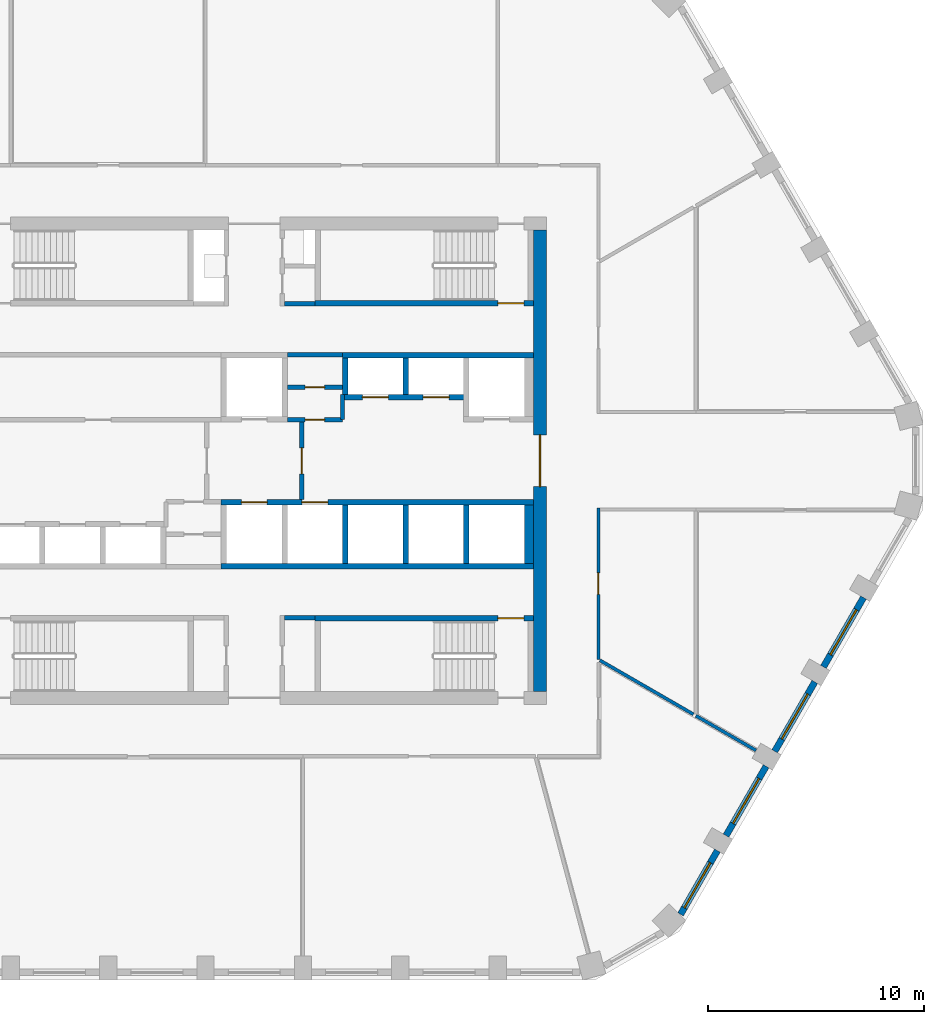
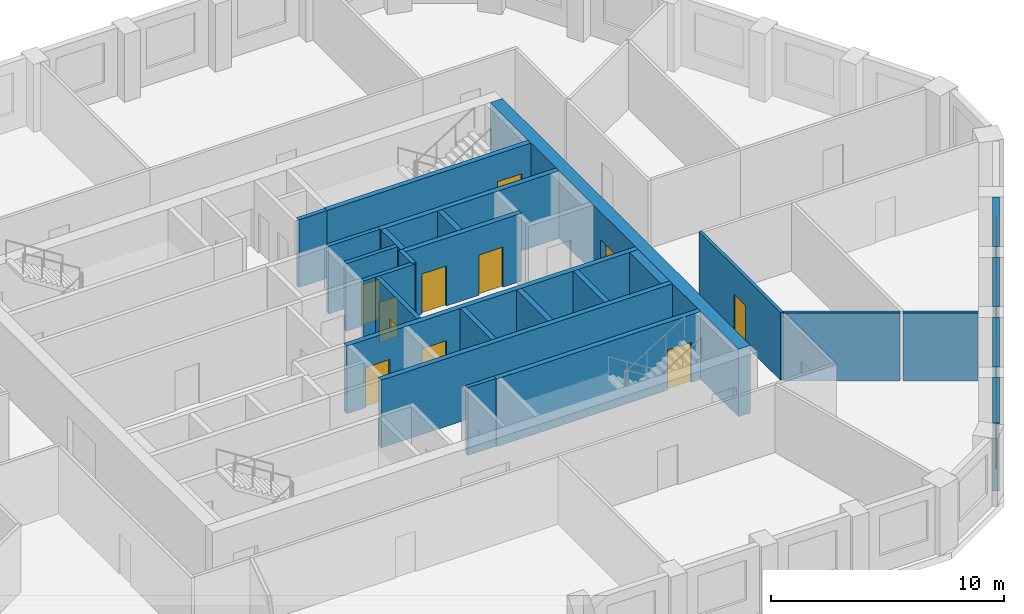
# One storey, part 4 of 11: 27 walls, 11 doors, 4 windows, 15 openings.
"""IFC4 building model written with IfcOpenShell, lengths in metres."""

from ifc_helpers import new_model, si_unit, direction, frame, frame_2d, origin, place, context, subcontext, project, spatial, polyline, rectangle, outline, extrude, material, layer, layer_set, type_object, element, fill, save


model = new_model("IFC4")

# Units and contexts
model_context = context("Model", 3, precision=1e-05, world=origin(), true_north=direction((0.0, 1.0)))
body_context = subcontext(model_context, "Body", "Model", "MODEL_VIEW")
ifc_project = project(units=[si_unit("LENGTHUNIT", "METRE"), si_unit("AREAUNIT", "SQUARE_METRE"), si_unit("VOLUMEUNIT", "CUBIC_METRE"), si_unit("PLANEANGLEUNIT", "RADIAN"), si_unit("MASSUNIT", "GRAM", prefix="KILO")], contexts=[model_context])

# Site, building, storey
site_placement = place(None, origin())
site = spatial("IfcSite", under=ifc_project, at=site_placement, CompositionType="ELEMENT")
building_placement = place(site_placement, origin())
building = spatial("IfcBuilding", under=site, at=building_placement, Name="Dhurran Vertical Campus", CompositionType="ELEMENT")
storey_placement = place(building_placement, frame((0.0, 0.0, 211.199951171875)))
storey = spatial("IfcBuildingStorey", under=building, at=storey_placement, Name="L52", CompositionType="ELEMENT", Elevation=211.199951171875)

# Wall, opening, window
ifc_material_1 = material(Name="Precast concrete C50/60", Category="concrete")
ifc_layer_1 = layer(ifc_material_1, 0.300048828125)
ifc_layer_set_1 = layer_set([ifc_layer_1], Name="Precast concrete C50/60")
wall_type_1 = type_object("IfcWallType", Name="Precast spandrel wall 300", PredefinedType="SOLIDWALL", material=ifc_layer_set_1)
wall_1_placement = place(storey_placement, frame((19.69580078125, -20.951171875, 0.0), z_axis=(0.0, 0.0, 1.0), x_axis=(0.500012868213, 0.866017974191, 0.0)))
wall_1 = element("IfcWall", 1, at=wall_1_placement, inside=storey, type_object=wall_type_1, Name="EW1 L52.08", PredefinedType="SOLIDWALL", context=body_context, shape_type="SweptSolid", body=[
    extrude(rectangle(XDim=3.39599609375, YDim=0.300048828125, at=frame_2d((1.697998046875, 0.0))), origin(), (0.0, 0.0, 1.0), 3.550048828125),
])
opening_1_placement = place(wall_1_placement, frame((0.346435546875, 0.0, 0.89990234375)))
opening_1 = element("IfcOpeningElement", 2, at=opening_1_placement, cuts=wall_1, Name="Opening WT1", PredefinedType="OPENING", context=body_context, shape_type="SweptSolid", body=[
    extrude(rectangle(XDim=2.39990234375, YDim=2.10009765625, at=frame_2d((1.199951171875, 1.050048828125))), frame((0.0, 0.159912109375, 0.0), z_axis=(0.0, -1.0, 0.0), x_axis=(1.0, 0.0, 0.0)), (0.0, 0.0, 1.0), 0.320068359375),
])
ifc_material_2 = material(Name="Aluminium frame with solar-control glass", Category="aluminium")
window_type = type_object("IfcWindowType", Name="Punched window 2400 x 2100", PartitioningType="SINGLE_PANEL", PredefinedType="WINDOW", material=ifc_material_2)
window_1_placement = place(opening_1_placement, origin())
window_1 = element("IfcWindow", 3, at=window_1_placement, inside=storey, type_object=window_type, Name="WT1 L52.08", OverallHeight=2.10009765625, OverallWidth=2.39990234375, PartitioningType="SINGLE_PANEL", PredefinedType="WINDOW", context=body_context, shape_type="SweptSolid", body=[
    extrude(rectangle(XDim=2.39990234375, YDim=2.10009765625, at=frame_2d((1.199951171875, 1.050048828125))), frame((0.0, 0.030029296875, 0.0), z_axis=(0.0, -1.0, 0.0), x_axis=(1.0, 0.0, 0.0)), (0.0, 0.0, 1.0), 0.06005859375),
])
fill(opening_1, window_1)

wall_2_placement = place(storey_placement, frame((21.794189453125, -17.316650390625, 0.0), z_axis=(0.0, 0.0, 1.0), x_axis=(0.500029062817, 0.866008623709, 0.0)))
wall_2 = element("IfcWall", 4, at=wall_2_placement, inside=storey, type_object=wall_type_1, Name="EW1 L52.09", PredefinedType="SOLIDWALL", context=body_context, shape_type="SweptSolid", body=[
    extrude(rectangle(XDim=3.698974609375, YDim=0.300048828125, at=frame_2d((1.849609375, 0.0))), origin(), (0.0, 0.0, 1.0), 3.550048828125),
])
opening_2_placement = place(wall_2_placement, frame((0.6494140625, 0.0, 0.89990234375)))
opening_2 = element("IfcOpeningElement", 5, at=opening_2_placement, cuts=wall_2, Name="Opening WT1", PredefinedType="OPENING", context=body_context, shape_type="SweptSolid", body=[
    extrude(rectangle(XDim=2.39990234375, YDim=2.10009765625, at=frame_2d((1.199951171875, 1.050048828125))), frame((0.0, 0.159912109375, 0.0), z_axis=(0.0, -1.0, 0.0), x_axis=(1.0, 0.0, 0.0)), (0.0, 0.0, 1.0), 0.320068359375),
])
window_2_placement = place(opening_2_placement, origin())
window_2 = element("IfcWindow", 6, at=window_2_placement, inside=storey, type_object=window_type, Name="WT1 L52.09", OverallHeight=2.10009765625, OverallWidth=2.39990234375, PartitioningType="SINGLE_PANEL", PredefinedType="WINDOW", context=body_context, shape_type="SweptSolid", body=[
    extrude(rectangle(XDim=2.39990234375, YDim=2.10009765625, at=frame_2d((1.199951171875, 1.050048828125))), frame((0.0, 0.030029296875, 0.0), z_axis=(0.0, -1.0, 0.0), x_axis=(1.0, 0.0, 0.0)), (0.0, 0.0, 1.0), 0.06005859375),
])
fill(opening_2, window_2)

wall_3_placement = place(storey_placement, frame((24.044189453125, -13.41943359375, 0.0), z_axis=(0.0, 0.0, 1.0), x_axis=(0.500029062817, 0.866008623709, 0.0)))
wall_3 = element("IfcWall", 7, at=wall_3_placement, inside=storey, type_object=wall_type_1, Name="EW1 L52.10", PredefinedType="SOLIDWALL", context=body_context, shape_type="SweptSolid", body=[
    extrude(rectangle(XDim=3.698974609375, YDim=0.300048828125, at=frame_2d((1.849609375, 0.0))), origin(), (0.0, 0.0, 1.0), 3.550048828125),
])
opening_3_placement = place(wall_3_placement, frame((0.6494140625, 0.0, 0.89990234375)))
opening_3 = element("IfcOpeningElement", 8, at=opening_3_placement, cuts=wall_3, Name="Opening WT1", PredefinedType="OPENING", context=body_context, shape_type="SweptSolid", body=[
    extrude(rectangle(XDim=2.39990234375, YDim=2.10009765625, at=frame_2d((1.199951171875, 1.050048828125))), frame((0.0, 0.159912109375, 0.0), z_axis=(0.0, -1.0, 0.0), x_axis=(1.0, 0.0, 0.0)), (0.0, 0.0, 1.0), 0.320068359375),
])
window_3_placement = place(opening_3_placement, origin())
window_3 = element("IfcWindow", 9, at=window_3_placement, inside=storey, type_object=window_type, Name="WT1 L52.10", OverallHeight=2.10009765625, OverallWidth=2.39990234375, PartitioningType="SINGLE_PANEL", PredefinedType="WINDOW", context=body_context, shape_type="SweptSolid", body=[
    extrude(rectangle(XDim=2.39990234375, YDim=2.10009765625, at=frame_2d((1.199951171875, 1.050048828125))), frame((0.0, 0.030029296875, 0.0), z_axis=(0.0, -1.0, 0.0), x_axis=(1.0, 0.0, 0.0)), (0.0, 0.0, 1.0), 0.06005859375),
])
fill(opening_3, window_3)

wall_4_placement = place(storey_placement, frame((26.294189453125, -9.5224609375, 0.0), z_axis=(0.0, 0.0, 1.0), x_axis=(0.500029062817, 0.866008623709, 0.0)))
wall_4 = element("IfcWall", 10, at=wall_4_placement, inside=storey, type_object=wall_type_1, Name="EW1 L52.11", PredefinedType="SOLIDWALL", context=body_context, shape_type="SweptSolid", body=[
    extrude(rectangle(XDim=3.698974609375, YDim=0.300048828125, at=frame_2d((1.849609375, 0.0))), origin(), (0.0, 0.0, 1.0), 3.550048828125),
])
opening_4_placement = place(wall_4_placement, frame((0.6494140625, 0.0, 0.89990234375)))
opening_4 = element("IfcOpeningElement", 11, at=opening_4_placement, cuts=wall_4, Name="Opening WT1", PredefinedType="OPENING", context=body_context, shape_type="SweptSolid", body=[
    extrude(rectangle(XDim=2.39990234375, YDim=2.10009765625, at=frame_2d((1.199951171875, 1.050048828125))), frame((0.0, 0.159912109375, 0.0), z_axis=(0.0, -1.0, 0.0), x_axis=(1.0, 0.0, 0.0)), (0.0, 0.0, 1.0), 0.320068359375),
])
window_4_placement = place(opening_4_placement, origin())
window_4 = element("IfcWindow", 12, at=window_4_placement, inside=storey, type_object=window_type, Name="WT1 L52.11", OverallHeight=2.10009765625, OverallWidth=2.39990234375, PartitioningType="SINGLE_PANEL", PredefinedType="WINDOW", context=body_context, shape_type="SweptSolid", body=[
    extrude(rectangle(XDim=2.39990234375, YDim=2.10009765625, at=frame_2d((1.199951171875, 1.050048828125))), frame((0.0, 0.030029296875, 0.0), z_axis=(0.0, -1.0, 0.0), x_axis=(1.0, 0.0, 0.0)), (0.0, 0.0, 1.0), 0.06005859375),
])
fill(opening_4, window_4)

# Wall, opening, door
ifc_material_3 = material(Name="Concrete C50/60", Category="concrete")
ifc_layer_2 = layer(ifc_material_3, 0.60009765625)
ifc_layer_set_2 = layer_set([ifc_layer_2], Name="Concrete C50/60")
wall_type_2 = type_object("IfcWallType", Name="co-CORE-WALL-C2-600", PredefinedType="SHEAR", material=ifc_layer_set_2)
wall_5_placement = place(storey_placement, frame((13.199951171875, -10.64990234375, 0.0), z_axis=(0.0, 0.0, 1.0), x_axis=(0.0, 1.0, 0.0)))
wall_5 = element("IfcWall", 13, at=wall_5_placement, inside=storey, type_object=wall_type_2, Name="Core wall E L52", PredefinedType="SHEAR", context=body_context, shape_type="SweptSolid", body=[
    extrude(rectangle(XDim=21.2998046875, YDim=0.60009765625, at=frame_2d((10.64990234375, 0.0))), origin(), (0.0, 0.0, 1.0), 3.550048828125),
])
opening_5_placement = place(wall_5_placement, frame((9.449951171875, 0.0, 0.0)))
opening_5 = element("IfcOpeningElement", 14, at=opening_5_placement, cuts=wall_5, Name="Opening CL2", PredefinedType="OPENING", context=body_context, shape_type="SweptSolid", body=[
    extrude(rectangle(XDim=2.39990234375, YDim=2.10009765625, at=frame_2d((1.199951171875, 1.050048828125))), frame((0.0, 0.31005859375, 0.0), z_axis=(0.0, -1.0, 0.0), x_axis=(1.0, 0.0, 0.0)), (0.0, 0.0, 1.0), 0.6201171875),
])
ifc_material_4 = material(Name="Fire-rated glazed door set")
door_type_1 = type_object("IfcDoorType", Name="co-D-LOBBY 2400x2100", OperationType="DOUBLE_DOOR_DOUBLE_SWING", PredefinedType="DOOR", material=ifc_material_4)
door_1_placement = place(opening_5_placement, origin())
door_1 = element("IfcDoor", 15, at=door_1_placement, inside=storey, type_object=door_type_1, Name="Lift lobby door E L52", OperationType="DOUBLE_DOOR_DOUBLE_SWING", OverallHeight=2.10009765625, OverallWidth=2.39990234375, PredefinedType="DOOR", context=body_context, shape_type="SweptSolid", body=[
    extrude(rectangle(XDim=2.39990234375, YDim=2.10009765625, at=frame_2d((1.199951171875, 1.050048828125))), frame((0.0, 0.02490234375, 0.0), z_axis=(0.0, -1.0, 0.0), x_axis=(1.0, 0.0, 0.0)), (0.0, 0.0, 1.0), 0.050048828125),
])
fill(opening_5, door_1)

ifc_material_5 = material(Name="Fire-rated masonry blockwork", Category="masonry")
ifc_layer_3 = layer(ifc_material_5, 0.199951171875)
ifc_layer_set_3 = layer_set([ifc_layer_3], Name="Fire-rated masonry blockwork")
wall_type_3 = type_object("IfcWallType", Name="co-FIRE-PARTITION-200", PredefinedType="PARTITIONING", material=ifc_layer_set_3)
wall_6_placement = place(storey_placement, frame((2.199951171875, -1.800048828125, 0.0), z_axis=(0.0, 0.0, 1.0), x_axis=(0.0, 1.0, 0.0)))
wall_6 = element("IfcWall", 16, at=wall_6_placement, inside=storey, type_object=wall_type_3, Name="Firefighting lobby wall E L52", PredefinedType="PARTITIONING", context=body_context, shape_type="SweptSolid", body=[
    extrude(rectangle(XDim=3.60009765625, YDim=0.199951171875, at=frame_2d((1.800048828125, 0.0))), origin(), (0.0, 0.0, 1.0), 3.550048828125),
])
opening_6_placement = place(wall_6_placement, frame((1.199951171875, 0.0, 0.0)))
opening_6 = element("IfcOpeningElement", 17, at=opening_6_placement, cuts=wall_6, Name="Opening FL2", PredefinedType="OPENING", context=body_context, shape_type="SweptSolid", body=[
    extrude(rectangle(XDim=1.199951171875, YDim=2.10009765625, at=frame_2d((0.60009765625, 1.050048828125))), frame((0.0, 0.10986328125, 0.0), z_axis=(0.0, -1.0, 0.0), x_axis=(1.0, 0.0, 0.0)), (0.0, 0.0, 1.0), 0.219970703125),
])
ifc_material_6 = material(Name="Fire-rated steel door set", Category="steel")
door_type_2 = type_object("IfcDoorType", Name="co-D-FFLOBBY 1200x2100", OperationType="SINGLE_SWING_LEFT", PredefinedType="DOOR", material=ifc_material_6)
door_2_placement = place(opening_6_placement, origin())
door_2 = element("IfcDoor", 18, at=door_2_placement, inside=storey, type_object=door_type_2, Name="Firefighting lobby door E L52", OperationType="SINGLE_SWING_LEFT", OverallHeight=2.10009765625, OverallWidth=1.199951171875, PredefinedType="DOOR", context=body_context, shape_type="SweptSolid", body=[
    extrude(rectangle(XDim=1.199951171875, YDim=2.10009765625, at=frame_2d((0.60009765625, 1.050048828125))), frame((0.0, 0.02490234375, 0.0), z_axis=(0.0, -1.0, 0.0), x_axis=(1.0, 0.0, 0.0)), (0.0, 0.0, 1.0), 0.050048828125),
])
fill(opening_6, door_2)

# Walls
for number, where, z_axis, x_axis, name in (
    (19, (1.39990234375, 7.25, 0.0), (0.0, 0.0, 1.0), (1.0, 0.0, 0.0), "Core partition sl-NE-S L52"),
    (20, (1.39990234375, -7.25, 0.0), (0.0, 0.0, 1.0), (1.0, 0.0, 0.0), "Core partition sl-SE-S L52"),
):
    element("IfcWall", number, at=place(storey_placement, frame(where, z_axis=z_axis, x_axis=x_axis)), inside=storey, type_object=wall_type_3, Name=name, PredefinedType="PARTITIONING", context=body_context, shape_type="SweptSolid", body=[
        extrude(rectangle(XDim=1.400146484375, YDim=0.199951171875, at=frame_2d((0.7001953125, 0.0))), origin(), (0.0, 0.0, 1.0), 3.550048828125),
    ])

# Wall, opening, door
wall_7_placement = place(storey_placement, frame((1.52490234375, 3.39990234375, 0.0), z_axis=(0.0, 0.0, 1.0), x_axis=(1.0, 0.0, 0.0)))
wall_7 = element("IfcWall", 21, at=wall_7_placement, inside=storey, type_object=wall_type_3, Name="Core partition fr-N1-c L52", PredefinedType="PARTITIONING", context=body_context, shape_type="SweptSolid", body=[
    extrude(rectangle(XDim=2.550048828125, YDim=0.199951171875, at=frame_2d((1.27490234375, 0.0))), origin(), (0.0, 0.0, 1.0), 3.550048828125),
])
opening_7_placement = place(wall_7_placement, frame((0.824951171875, 0.0, 0.0)))
opening_7 = element("IfcOpeningElement", 22, at=opening_7_placement, cuts=wall_7, Name="Opening T15-C7", PredefinedType="OPENING", context=body_context, shape_type="SweptSolid", body=[
    extrude(rectangle(XDim=0.89990234375, YDim=2.10009765625, at=frame_2d((0.449951171875, 1.050048828125))), frame((0.0, 0.10986328125, 0.0), z_axis=(0.0, -1.0, 0.0), x_axis=(1.0, 0.0, 0.0)), (0.0, 0.0, 1.0), 0.219970703125),
])
ifc_material_7 = material(Name="Fire-rated timber door set", Category="wood")
door_type_3 = type_object("IfcDoorType", Name="co-D-ROOM 900x2100", OperationType="SINGLE_SWING_LEFT", PredefinedType="DOOR", material=ifc_material_7)
door_3_placement = place(opening_7_placement, origin())
door_3 = element("IfcDoor", 23, at=door_3_placement, inside=storey, type_object=door_type_3, Name="Communications room door L52", OperationType="SINGLE_SWING_LEFT", OverallHeight=2.10009765625, OverallWidth=0.89990234375, PredefinedType="DOOR", context=body_context, shape_type="SweptSolid", body=[
    extrude(rectangle(XDim=0.89990234375, YDim=2.10009765625, at=frame_2d((0.449951171875, 1.050048828125))), frame((0.0, 0.02490234375, 0.0), z_axis=(0.0, -1.0, 0.0), x_axis=(1.0, 0.0, 0.0)), (0.0, 0.0, 1.0), 0.050048828125),
])
fill(opening_7, door_3)

wall_8_placement = place(storey_placement, frame((1.52490234375, 1.89990234375, 0.0), z_axis=(0.0, 0.0, 1.0), x_axis=(1.0, 0.0, 0.0)))
wall_8 = element("IfcWall", 24, at=wall_8_placement, inside=storey, type_object=wall_type_3, Name="Core partition fr-N1-f L52", PredefinedType="PARTITIONING", context=body_context, shape_type="SweptSolid", body=[
    extrude(rectangle(XDim=2.550048828125, YDim=0.199951171875, at=frame_2d((1.27490234375, 0.0))), origin(), (0.0, 0.0, 1.0), 3.550048828125),
])
opening_8_placement = place(wall_8_placement, frame((0.824951171875, 0.0, 0.0)))
opening_8 = element("IfcOpeningElement", 25, at=opening_8_placement, cuts=wall_8, Name="Opening T15-C8", PredefinedType="OPENING", context=body_context, shape_type="SweptSolid", body=[
    extrude(rectangle(XDim=0.89990234375, YDim=2.10009765625, at=frame_2d((0.449951171875, 1.050048828125))), frame((0.0, 0.10986328125, 0.0), z_axis=(0.0, -1.0, 0.0), x_axis=(1.0, 0.0, 0.0)), (0.0, 0.0, 1.0), 0.219970703125),
])
door_4_placement = place(opening_8_placement, origin())
door_4 = element("IfcDoor", 26, at=door_4_placement, inside=storey, type_object=door_type_3, Name="Server room door L52", OperationType="SINGLE_SWING_LEFT", OverallHeight=2.10009765625, OverallWidth=0.89990234375, PredefinedType="DOOR", context=body_context, shape_type="SweptSolid", body=[
    extrude(rectangle(XDim=0.89990234375, YDim=2.10009765625, at=frame_2d((0.449951171875, 1.050048828125))), frame((0.0, 0.02490234375, 0.0), z_axis=(0.0, -1.0, 0.0), x_axis=(1.0, 0.0, 0.0)), (0.0, 0.0, 1.0), 0.050048828125),
])
fill(opening_8, door_4)

# Walls
wall_9_placement = place(storey_placement, frame((1.52490234375, 4.89990234375, 0.0), z_axis=(0.0, 0.0, 1.0), x_axis=(1.0, 0.0, 0.0)))
element("IfcWall", 27, at=wall_9_placement, inside=storey, type_object=wall_type_3, Name="Core partition fr-N1-b L52", PredefinedType="PARTITIONING", context=body_context, shape_type="SweptSolid", body=[
    extrude(rectangle(XDim=2.550048828125, YDim=0.199951171875, at=frame_2d((1.27490234375, 0.0))), origin(), (0.0, 0.0, 1.0), 3.550048828125),
])
wall_10_placement = place(storey_placement, frame((4.074951171875, 1.89990234375, 0.0), z_axis=(0.0, 0.0, 1.0), x_axis=(0.0, 1.0, 0.0)))
element("IfcWall", 28, at=wall_10_placement, inside=storey, type_object=wall_type_3, Name="Core partition fr-N1-n1 L52", PredefinedType="PARTITIONING", context=body_context, shape_type="SweptSolid", body=[
    extrude(rectangle(XDim=1.150146484375, YDim=0.199951171875, at=frame_2d((0.5751953125, 0.0))), origin(), (0.0, 0.0, 1.0), 3.550048828125),
])

# Wall, openings, doors
ifc_material_8 = material(Name="Concrete C50/60", Category="concrete")
ifc_layer_4 = layer(ifc_material_8, 0.25)
ifc_layer_set_4 = layer_set([ifc_layer_4], Name="Concrete C50/60")
wall_type_4 = type_object("IfcWallType", Name="co-SHAFT-FRONT-250", PredefinedType="SHEAR", material=ifc_layer_set_4)
wall_11_placement = place(storey_placement, frame((4.074951171875, 2.925048828125, 0.0), z_axis=(0.0, 0.0, 1.0), x_axis=(1.0, 0.0, 0.0)))
wall_11 = element("IfcWall", 29, at=wall_11_placement, inside=storey, type_object=wall_type_4, Name="Lift landing wall N L52", PredefinedType="SHEAR", context=body_context, shape_type="SweptSolid", body=[
    extrude(rectangle(XDim=5.85009765625, YDim=0.25, at=frame_2d((2.925048828125, 0.0))), origin(), (0.0, 0.0, 1.0), 3.550048828125),
])
opening_9_placement = place(wall_11_placement, frame((0.925048828125, 0.0, 0.0)))
opening_9 = element("IfcOpeningElement", 30, at=opening_9_placement, cuts=wall_11, Name="Opening LD", PredefinedType="OPENING", context=body_context, shape_type="SweptSolid", body=[
    extrude(rectangle(XDim=1.199951171875, YDim=2.10009765625, at=frame_2d((0.60009765625, 1.050048828125))), frame((0.0, 0.135009765625, 0.0), z_axis=(0.0, -1.0, 0.0), x_axis=(1.0, 0.0, 0.0)), (0.0, 0.0, 1.0), 0.27001953125),
])
opening_10_placement = place(wall_11_placement, frame((3.72509765625, 0.0, 0.0)))
opening_10 = element("IfcOpeningElement", 31, at=opening_10_placement, cuts=wall_11, Name="Opening LD", PredefinedType="OPENING", context=body_context, shape_type="SweptSolid", body=[
    extrude(rectangle(XDim=1.199951171875, YDim=2.10009765625, at=frame_2d((0.60009765625, 1.050048828125))), frame((0.0, 0.135009765625, 0.0), z_axis=(0.0, -1.0, 0.0), x_axis=(1.0, 0.0, 0.0)), (0.0, 0.0, 1.0), 0.27001953125),
])
ifc_material_9 = material(Name="Stainless steel landing door", Category="steel")
door_type_4 = type_object("IfcDoorType", Name="co-D-LANDING 1200x2100", OperationType="DOUBLE_DOOR_SLIDING", PredefinedType="DOOR", material=ifc_material_9)
door_5_placement = place(opening_9_placement, origin())
door_5 = element("IfcDoor", 32, at=door_5_placement, inside=storey, type_object=door_type_4, Name="Landing door MR1 L52", OperationType="DOUBLE_DOOR_SLIDING", OverallHeight=2.10009765625, OverallWidth=1.199951171875, PredefinedType="DOOR", context=body_context, shape_type="SweptSolid", body=[
    extrude(rectangle(XDim=1.199951171875, YDim=2.10009765625, at=frame_2d((0.60009765625, 1.050048828125))), frame((0.0, 0.02490234375, 0.0), z_axis=(0.0, -1.0, 0.0), x_axis=(1.0, 0.0, 0.0)), (0.0, 0.0, 1.0), 0.050048828125),
])
fill(opening_9, door_5)
door_6_placement = place(opening_10_placement, origin())
door_6 = element("IfcDoor", 33, at=door_6_placement, inside=storey, type_object=door_type_4, Name="Landing door MR2 L52", OperationType="DOUBLE_DOOR_SLIDING", OverallHeight=2.10009765625, OverallWidth=1.199951171875, PredefinedType="DOOR", context=body_context, shape_type="SweptSolid", body=[
    extrude(rectangle(XDim=1.199951171875, YDim=2.10009765625, at=frame_2d((0.60009765625, 1.050048828125))), frame((0.0, 0.02490234375, 0.0), z_axis=(0.0, -1.0, 0.0), x_axis=(1.0, 0.0, 0.0)), (0.0, 0.0, 1.0), 0.050048828125),
])
fill(opening_10, door_6)

wall_12_placement = place(storey_placement, frame((-1.52490234375, -1.925048828125, 0.0), z_axis=(0.0, 0.0, 1.0), x_axis=(1.0, 0.0, 0.0)))
wall_12 = element("IfcWall", 34, at=wall_12_placement, inside=storey, type_object=wall_type_4, Name="Lift landing wall S L52", PredefinedType="SHEAR", context=body_context, shape_type="SweptSolid", body=[
    extrude(rectangle(XDim=14.4248046875, YDim=0.25, at=frame_2d((7.21240234375, 0.0))), origin(), (0.0, 0.0, 1.0), 3.550048828125),
])
opening_11_placement = place(wall_12_placement, frame((0.925048828125, 0.0, 0.0)))
opening_11 = element("IfcOpeningElement", 35, at=opening_11_placement, cuts=wall_12, Name="Opening LD", PredefinedType="OPENING", context=body_context, shape_type="SweptSolid", body=[
    extrude(rectangle(XDim=1.199951171875, YDim=2.10009765625, at=frame_2d((0.60009765625, 1.050048828125))), frame((0.0, 0.135009765625, 0.0), z_axis=(0.0, -1.0, 0.0), x_axis=(1.0, 0.0, 0.0)), (0.0, 0.0, 1.0), 0.27001953125),
])
opening_12_placement = place(wall_12_placement, frame((3.72509765625, 0.0, 0.0)))
opening_12 = element("IfcOpeningElement", 36, at=opening_12_placement, cuts=wall_12, Name="Opening LD", PredefinedType="OPENING", context=body_context, shape_type="SweptSolid", body=[
    extrude(rectangle(XDim=1.199951171875, YDim=2.10009765625, at=frame_2d((0.60009765625, 1.050048828125))), frame((0.0, 0.135009765625, 0.0), z_axis=(0.0, -1.0, 0.0), x_axis=(1.0, 0.0, 0.0)), (0.0, 0.0, 1.0), 0.27001953125),
])
door_7_placement = place(opening_11_placement, origin())
door_7 = element("IfcDoor", 37, at=door_7_placement, inside=storey, type_object=door_type_4, Name="Landing door FF2 L52", OperationType="DOUBLE_DOOR_SLIDING", OverallHeight=2.10009765625, OverallWidth=1.199951171875, PredefinedType="DOOR", context=body_context, shape_type="SweptSolid", body=[
    extrude(rectangle(XDim=1.199951171875, YDim=2.10009765625, at=frame_2d((0.60009765625, 1.050048828125))), frame((0.0, 0.02490234375, 0.0), z_axis=(0.0, -1.0, 0.0), x_axis=(1.0, 0.0, 0.0)), (0.0, 0.0, 1.0), 0.050048828125),
])
fill(opening_11, door_7)
door_8_placement = place(opening_12_placement, origin())
door_8 = element("IfcDoor", 38, at=door_8_placement, inside=storey, type_object=door_type_4, Name="Landing door SV1 L52", OperationType="DOUBLE_DOOR_SLIDING", OverallHeight=2.10009765625, OverallWidth=1.199951171875, PredefinedType="DOOR", context=body_context, shape_type="SweptSolid", body=[
    extrude(rectangle(XDim=1.199951171875, YDim=2.10009765625, at=frame_2d((0.60009765625, 1.050048828125))), frame((0.0, 0.02490234375, 0.0), z_axis=(0.0, -1.0, 0.0), x_axis=(1.0, 0.0, 0.0)), (0.0, 0.0, 1.0), 0.050048828125),
])
fill(opening_12, door_8)

# Walls
ifc_material_10 = material(Name="Concrete C50/60", Category="concrete")
ifc_layer_5 = layer(ifc_material_10, 0.25)
ifc_layer_set_5 = layer_set([ifc_layer_5], Name="Concrete C50/60")
wall_type_5 = type_object("IfcWallType", Name="co-SHAFT-MASS-250", PredefinedType="SHEAR", material=ifc_layer_set_5)
wall_13_placement = place(storey_placement, origin())
element("IfcWall", 39, at=wall_13_placement, inside=storey, type_object=wall_type_5, Name="Lift shaft wall N L52 2", PredefinedType="SHEAR", context=body_context, shape_type="SweptSolid", body=[
    extrude(outline(polyline([(4.074951171875, 4.75), (12.89990234375, 4.75), (12.89990234375, 5.0), (4.074951171875, 5.0), (4.074951171875, 4.75)])), origin(), (0.0, 0.0, 1.0), 3.550048828125),
])
wall_14_placement = place(storey_placement, origin())
element("IfcWall", 40, at=wall_14_placement, inside=storey, type_object=wall_type_5, Name="Lift shaft wall N L52 7", PredefinedType="SHEAR", context=body_context, shape_type="SweptSolid", body=[
    extrude(outline(polyline([(4.074951171875, 3.050048828125), (4.324951171875, 3.050048828125), (4.324951171875, 4.75), (4.074951171875, 4.75), (4.074951171875, 3.050048828125)])), origin(), (0.0, 0.0, 1.0), 3.550048828125),
])
wall_15_placement = place(storey_placement, origin())
element("IfcWall", 41, at=wall_15_placement, inside=storey, type_object=wall_type_5, Name="Lift shaft wall N L52 8", PredefinedType="SHEAR", context=body_context, shape_type="SweptSolid", body=[
    extrude(outline(polyline([(6.875, 3.050048828125), (7.125, 3.050048828125), (7.125, 4.75), (6.875, 4.75), (6.875, 3.050048828125)])), origin(), (0.0, 0.0, 1.0), 3.550048828125),
])
wall_16_placement = place(storey_placement, origin())
element("IfcWall", 42, at=wall_16_placement, inside=storey, type_object=wall_type_5, Name="Lift shaft wall S L52 2", PredefinedType="SHEAR", context=body_context, shape_type="SweptSolid", body=[
    extrude(outline(polyline([(-1.52490234375, -5.0), (12.89990234375, -5.0), (12.89990234375, -4.75), (-1.52490234375, -4.75), (-1.52490234375, -5.0)])), origin(), (0.0, 0.0, 1.0), 3.550048828125),
])
wall_17_placement = place(storey_placement, origin())
element("IfcWall", 43, at=wall_17_placement, inside=storey, type_object=wall_type_5, Name="Lift shaft wall S L52 9", PredefinedType="SHEAR", context=body_context, shape_type="SweptSolid", body=[
    extrude(outline(polyline([(4.074951171875, -4.75), (4.324951171875, -4.75), (4.324951171875, -2.050048828125), (4.074951171875, -2.050048828125), (4.074951171875, -4.75)])), origin(), (0.0, 0.0, 1.0), 3.550048828125),
])
wall_18_placement = place(storey_placement, origin())
element("IfcWall", 44, at=wall_18_placement, inside=storey, type_object=wall_type_5, Name="Lift shaft wall S L52 10", PredefinedType="SHEAR", context=body_context, shape_type="SweptSolid", body=[
    extrude(outline(polyline([(6.875, -4.75), (7.125, -4.75), (7.125, -2.050048828125), (6.875, -2.050048828125), (6.875, -4.75)])), origin(), (0.0, 0.0, 1.0), 3.550048828125),
])
wall_19_placement = place(storey_placement, origin())
element("IfcWall", 45, at=wall_19_placement, inside=storey, type_object=wall_type_5, Name="Lift shaft wall S L52 11", PredefinedType="SHEAR", context=body_context, shape_type="SweptSolid", body=[
    extrude(outline(polyline([(9.675048828125, -4.75), (9.925048828125, -4.75), (9.925048828125, -2.050048828125), (9.675048828125, -2.050048828125), (9.675048828125, -4.75)])), origin(), (0.0, 0.0, 1.0), 3.550048828125),
])
wall_20_placement = place(storey_placement, origin())
element("IfcWall", 46, at=wall_20_placement, inside=storey, type_object=wall_type_5, Name="Lift shaft wall S L52 12", PredefinedType="SHEAR", context=body_context, shape_type="SweptSolid", body=[
    extrude(outline(polyline([(12.47509765625, -4.75), (12.89990234375, -4.75), (12.89990234375, -2.050048828125), (12.47509765625, -2.050048828125), (12.47509765625, -4.75)])), origin(), (0.0, 0.0, 1.0), 3.550048828125),
])

# Wall, opening, door
ifc_material_11 = material(Name="Concrete C40/50", Category="concrete")
ifc_layer_6 = layer(ifc_material_11, 0.25)
ifc_layer_set_6 = layer_set([ifc_layer_6], Name="Concrete C40/50")
wall_type_6 = type_object("IfcWallType", Name="co-STAIR-WALL-250", PredefinedType="SHEAR", material=ifc_layer_set_6)
wall_21_placement = place(storey_placement, frame((2.800048828125, 7.27490234375, 0.0), z_axis=(0.0, 0.0, 1.0), x_axis=(1.0, 0.0, 0.0)))
wall_21 = element("IfcWall", 47, at=wall_21_placement, inside=storey, type_object=wall_type_6, Name="Stair ST2 enclosure wall L52", PredefinedType="SHEAR", context=body_context, shape_type="SweptSolid", body=[
    extrude(rectangle(XDim=10.099853515625, YDim=0.25, at=frame_2d((5.0498046875, 0.0))), origin(), (0.0, 0.0, 1.0), 3.550048828125),
])
opening_13_placement = place(wall_21_placement, frame((8.449951171875, 0.0, 0.0)))
opening_13 = element("IfcOpeningElement", 48, at=opening_13_placement, cuts=wall_21, Name="Opening SD2", PredefinedType="OPENING", context=body_context, shape_type="SweptSolid", body=[
    extrude(rectangle(XDim=1.199951171875, YDim=2.10009765625, at=frame_2d((0.60009765625, 1.050048828125))), frame((0.0, 0.135009765625, 0.0), z_axis=(0.0, -1.0, 0.0), x_axis=(1.0, 0.0, 0.0)), (0.0, 0.0, 1.0), 0.27001953125),
])
ifc_material_12 = material(Name="Fire-rated steel door set", Category="steel")
door_type_5 = type_object("IfcDoorType", Name="co-D-STAIR 1200x2100", OperationType="SINGLE_SWING_LEFT", PredefinedType="DOOR", material=ifc_material_12)
door_9_placement = place(opening_13_placement, origin())
door_9 = element("IfcDoor", 49, at=door_9_placement, inside=storey, type_object=door_type_5, Name="Stair ST2 door L52", OperationType="SINGLE_SWING_LEFT", OverallHeight=2.10009765625, OverallWidth=1.199951171875, PredefinedType="DOOR", context=body_context, shape_type="SweptSolid", body=[
    extrude(rectangle(XDim=1.199951171875, YDim=2.10009765625, at=frame_2d((0.60009765625, 1.050048828125))), frame((0.0, 0.02490234375, 0.0), z_axis=(0.0, -1.0, 0.0), x_axis=(1.0, 0.0, 0.0)), (0.0, 0.0, 1.0), 0.050048828125),
])
fill(opening_13, door_9)

wall_22_placement = place(storey_placement, frame((2.800048828125, -7.27490234375, 0.0), z_axis=(0.0, 0.0, 1.0), x_axis=(1.0, 0.0, 0.0)))
wall_22 = element("IfcWall", 50, at=wall_22_placement, inside=storey, type_object=wall_type_6, Name="Stair ST4 enclosure wall L52", PredefinedType="SHEAR", context=body_context, shape_type="SweptSolid", body=[
    extrude(rectangle(XDim=10.099853515625, YDim=0.25, at=frame_2d((5.0498046875, 0.0))), origin(), (0.0, 0.0, 1.0), 3.550048828125),
])
opening_14_placement = place(wall_22_placement, frame((8.449951171875, 0.0, 0.0)))
opening_14 = element("IfcOpeningElement", 51, at=opening_14_placement, cuts=wall_22, Name="Opening SD4", PredefinedType="OPENING", context=body_context, shape_type="SweptSolid", body=[
    extrude(rectangle(XDim=1.199951171875, YDim=2.10009765625, at=frame_2d((0.60009765625, 1.050048828125))), frame((0.0, 0.135009765625, 0.0), z_axis=(0.0, -1.0, 0.0), x_axis=(1.0, 0.0, 0.0)), (0.0, 0.0, 1.0), 0.27001953125),
])
door_10_placement = place(opening_14_placement, origin())
door_10 = element("IfcDoor", 52, at=door_10_placement, inside=storey, type_object=door_type_5, Name="Stair ST4 door L52", OperationType="SINGLE_SWING_LEFT", OverallHeight=2.10009765625, OverallWidth=1.199951171875, PredefinedType="DOOR", context=body_context, shape_type="SweptSolid", body=[
    extrude(rectangle(XDim=1.199951171875, YDim=2.10009765625, at=frame_2d((0.60009765625, 1.050048828125))), frame((0.0, 0.02490234375, 0.0), z_axis=(0.0, -1.0, 0.0), x_axis=(1.0, 0.0, 0.0)), (0.0, 0.0, 1.0), 0.050048828125),
])
fill(opening_14, door_10)

ifc_material_13 = material(Name="Gypsum board corridor wall on steel studs", Category="steel")
ifc_layer_7 = layer(ifc_material_13, 0.14990234375)
ifc_layer_set_7 = layer_set([ifc_layer_7], Name="Gypsum board corridor wall on steel studs")
wall_type_7 = type_object("IfcWallType", Name="fl-CW-150 corridor wall", PredefinedType="PARTITIONING", material=ifc_layer_set_7)
wall_23_placement = place(storey_placement, frame((15.89990234375, -9.179931640625, 0.0), z_axis=(0.0, 0.0, 1.0), x_axis=(0.0, 1.0, 0.0)))
wall_23 = element("IfcWall", 53, at=wall_23_placement, inside=storey, type_object=wall_type_7, Name="Partition 52-34", PredefinedType="PARTITIONING", context=body_context, shape_type="SweptSolid", body=[
    extrude(rectangle(XDim=7.0048828125, YDim=0.14990234375, at=frame_2d((3.50244140625, 0.0))), origin(), (0.0, 0.0, 1.0), 3.550048828125),
])
opening_15_placement = place(wall_23_placement, frame((3.00244140625, 0.0, 0.0)))
opening_15 = element("IfcOpeningElement", 54, at=opening_15_placement, cuts=wall_23, Name="Opening T15.14", PredefinedType="OPENING", context=body_context, shape_type="SweptSolid", body=[
    extrude(rectangle(XDim=1.0, YDim=2.10009765625, at=frame_2d((0.5, 1.050048828125))), frame((0.0, 0.0849609375, 0.0), z_axis=(0.0, -1.0, 0.0), x_axis=(1.0, 0.0, 0.0)), (0.0, 0.0, 1.0), 0.169921875),
])
ifc_material_14 = material(Name="Solid-core timber door set, fire-rated", Category="wood")
door_type_6 = type_object("IfcDoorType", Name="fl-D-1000x2100", OperationType="SINGLE_SWING_LEFT", PredefinedType="DOOR", material=ifc_material_14)
door_11_placement = place(opening_15_placement, origin())
door_11 = element("IfcDoor", 55, at=door_11_placement, inside=storey, type_object=door_type_6, Name="Door 52.14", OperationType="SINGLE_SWING_RIGHT", OverallHeight=2.10009765625, OverallWidth=1.0, PredefinedType="DOOR", context=body_context, shape_type="SweptSolid", body=[
    extrude(rectangle(XDim=1.0, YDim=2.10009765625, at=frame_2d((0.5, 1.050048828125))), frame((0.0, 0.02490234375, 0.0), z_axis=(0.0, -1.0, 0.0), x_axis=(1.0, 0.0, 0.0)), (0.0, 0.0, 1.0), 0.050048828125),
])
fill(opening_15, door_11)

# Walls
ifc_material_15 = material(Name="Gypsum board partition on steel studs", Category="steel")
ifc_layer_8 = layer(ifc_material_15, 0.14990234375)
ifc_layer_set_8 = layer_set([ifc_layer_8], Name="Gypsum board partition on steel studs")
wall_type_8 = type_object("IfcWallType", Name="fl-PW-150 fixed partition", PredefinedType="PARTITIONING", material=ifc_layer_set_8)
wall_24_placement = place(storey_placement, frame((15.965087890625, -9.217529296875, 0.0), z_axis=(0.0, 0.0, 1.0), x_axis=(0.866034070548, -0.499984988425, 0.0)))
element("IfcWall", 56, at=wall_24_placement, inside=storey, type_object=wall_type_8, Name="Partition 52-35", PredefinedType="PARTITIONING", context=body_context, shape_type="SweptSolid", body=[
    extrude(rectangle(XDim=4.990966796875, YDim=0.14990234375, at=frame_2d((2.49560546875, 0.0))), origin(), (0.0, 0.0, 1.0), 3.550048828125),
])
wall_25_placement = place(storey_placement, frame((20.39990234375, -11.778076171875, 0.0), z_axis=(0.0, 0.0, 1.0), x_axis=(0.866089241828, -0.499889412961, 0.0)))
element("IfcWall", 57, at=wall_25_placement, inside=storey, type_object=wall_type_8, Name="Partition 52-42", PredefinedType="PARTITIONING", context=body_context, shape_type="SweptSolid", body=[
    extrude(rectangle(XDim=3.206787109375, YDim=0.14990234375, at=frame_2d((1.603515625, 0.0))), origin(), (0.0, 0.0, 1.0), 3.550048828125),
])

save(model, "model.ifc")
